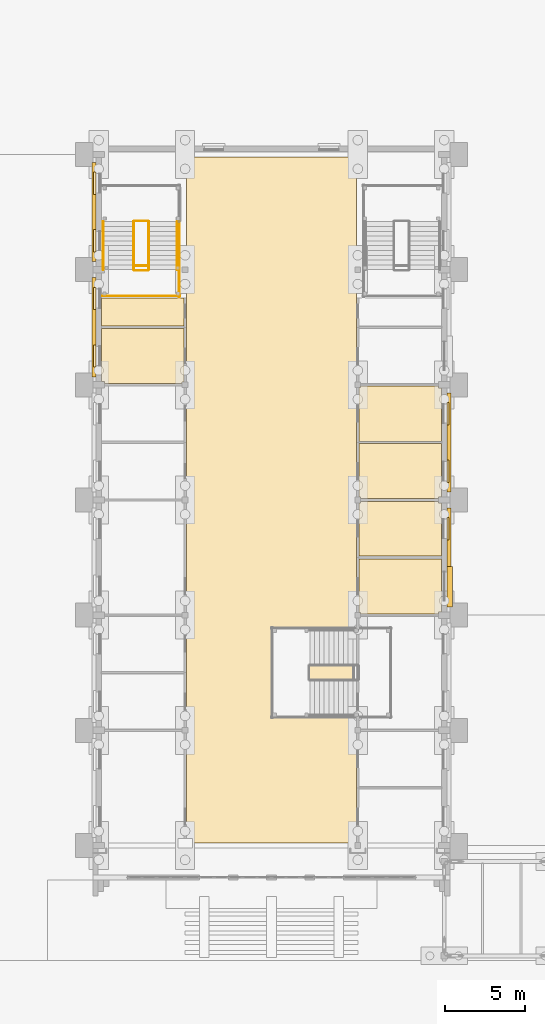
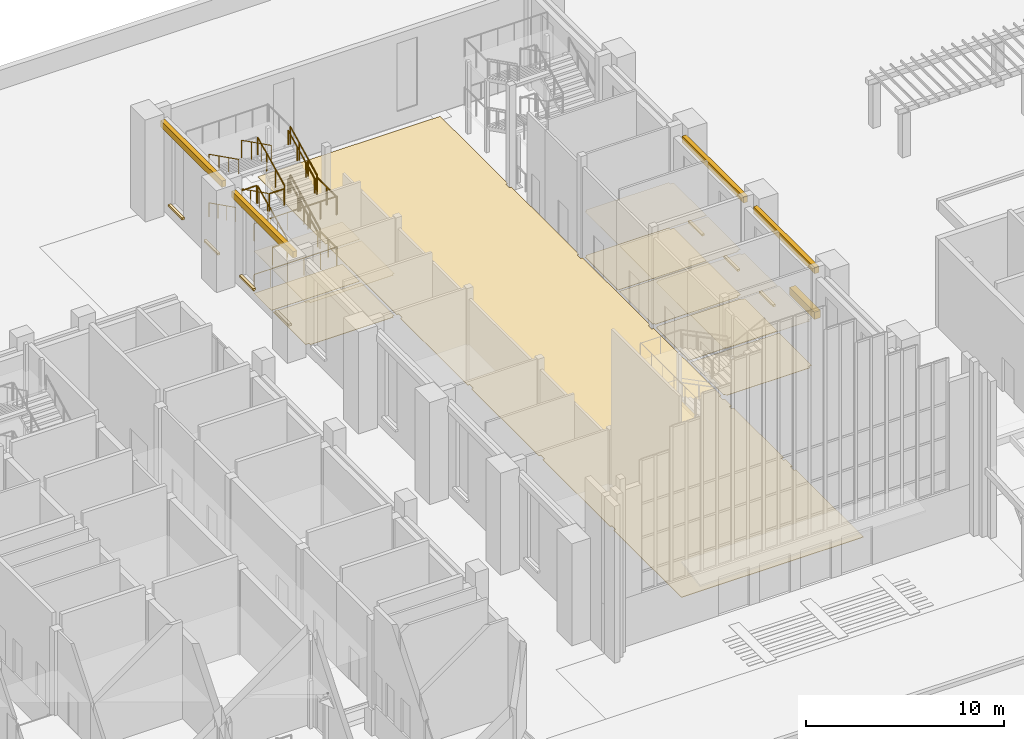
# One storey, part 71 of 84: 25 coverings, 17 railings.
"""IFC4 building model written with IfcOpenShell, lengths in metres."""

from ifc_helpers import new_model, si_unit, direction, frame, origin, origin_2d, place, context, subcontext, project, spatial, polyline, circle, outline, extrude, material, layer, layer_set, type_object, element, save


model = new_model("IFC4")

# Units and contexts
model_context = context("Model", 3, precision=1e-05, world=origin(), true_north=direction((0.0, 1.0)))
body_context = subcontext(model_context, "Body", "Model", "MODEL_VIEW")
ifc_project = project(units=[si_unit("LENGTHUNIT", "METRE"), si_unit("AREAUNIT", "SQUARE_METRE"), si_unit("VOLUMEUNIT", "CUBIC_METRE"), si_unit("PLANEANGLEUNIT", "RADIAN"), si_unit("MASSUNIT", "GRAM", prefix="KILO")], contexts=[model_context])

# Site, building, storey
site_placement = place(None, origin())
site = spatial("IfcSite", under=ifc_project, at=site_placement, CompositionType="ELEMENT")
building_placement = place(site_placement, origin())
building = spatial("IfcBuilding", under=site, at=building_placement, Name="Mazhai Court Health Centre", CompositionType="ELEMENT")
storey_placement = place(building_placement, origin())
storey = spatial("IfcBuildingStorey", under=building, at=storey_placement, Name="L00", CompositionType="ELEMENT", Elevation=0.0)

# Coverings
ifc_material_1 = material(Name="Clay brick masonry", Category="masonry")
ifc_layer_1 = layer(ifc_material_1, 0.25)
ifc_layer_set_1 = layer_set([ifc_layer_1], Name="BRICK BAND 250")
covering_type_1 = type_object("IfcCoveringType", Name="BRICK BAND 250", PredefinedType="MOLDING", material=ifc_layer_set_1)
covering_1_placement = place(storey_placement, frame((0.0, 0.0, 5.3701171875)))
element("IfcCovering", 1, at=covering_1_placement, inside=storey, type_object=covering_type_1, Name="EB-V1-L00-W4-0", PredefinedType="MOLDING", context=body_context, shape_type="SweptSolid", body=[
    extrude(outline(polyline([(42.034912109375, 42.699951171875), (42.034912109375, 48.89990234375), (41.784912109375, 48.89990234375), (41.784912109375, 42.699951171875), (42.034912109375, 42.699951171875)])), origin(), (0.0, 0.0, 1.0), 0.39990234375),
])
covering_2_placement = place(storey_placement, frame((0.0, 0.0, 5.3701171875)))
element("IfcCovering", 2, at=covering_2_placement, inside=storey, type_object=covering_type_1, Name="EB-V1-L00-W5-0", PredefinedType="MOLDING", context=body_context, shape_type="SweptSolid", body=[
    extrude(outline(polyline([(42.034912109375, 49.89990234375), (42.034912109375, 56.10009765625), (41.784912109375, 56.10009765625), (41.784912109375, 49.89990234375), (42.034912109375, 49.89990234375)])), origin(), (0.0, 0.0, 1.0), 0.39990234375),
])
covering_3_placement = place(storey_placement, frame((0.0, 0.0, 5.3701171875)))
element("IfcCovering", 3, at=covering_3_placement, inside=storey, type_object=covering_type_1, Name="EB-V1-L00-E2-0", PredefinedType="MOLDING", context=body_context, shape_type="SweptSolid", body=[
    extrude(outline(polyline([(63.965087890625, 34.5), (63.965087890625, 28.300048828125), (64.215087890625, 28.300048828125), (64.215087890625, 34.5), (63.965087890625, 34.5)])), origin(), (0.0, 0.0, 1.0), 0.39990234375),
])
covering_4_placement = place(storey_placement, frame((0.0, 0.0, 5.3701171875)))
element("IfcCovering", 4, at=covering_4_placement, inside=storey, type_object=covering_type_1, Name="EB-V1-L00-E3-0", PredefinedType="MOLDING", context=body_context, shape_type="SweptSolid", body=[
    extrude(outline(polyline([(63.965087890625, 41.699951171875), (63.965087890625, 35.5), (64.215087890625, 35.5), (64.215087890625, 41.699951171875), (63.965087890625, 41.699951171875)])), origin(), (0.0, 0.0, 1.0), 0.39990234375),
])
ifc_material_2 = material(Name="Clay brick masonry", Category="masonry")
ifc_layer_2 = layer(ifc_material_2, 0.35009765625)
ifc_layer_set_2 = layer_set([ifc_layer_2], Name="BRICK PORTAL LINTEL 350")
covering_type_2 = type_object("IfcCoveringType", Name="BRICK PORTAL LINTEL 350", PredefinedType="MOLDING", material=ifc_layer_set_2)
covering_5_placement = place(storey_placement, frame((0.0, 0.0, 2.550048828125)))
element("IfcCovering", 5, at=covering_5_placement, inside=storey, type_object=covering_type_2, Name="EL-V1-L00-E2", PredefinedType="MOLDING", context=body_context, shape_type="SweptSolid", body=[
    extrude(outline(polyline([(63.965087890625, 30.85009765625), (63.965087890625, 28.300048828125), (64.31494140625, 28.300048828125), (64.31494140625, 30.85009765625), (63.965087890625, 30.85009765625)])), origin(), (0.0, 0.0, 1.0), 0.449951171875),
])
ifc_material_3 = material(Name="Clay brick masonry", Category="masonry")
ifc_layer_3 = layer(ifc_material_3, 0.14990234375)
ifc_layer_set_3 = layer_set([ifc_layer_3], Name="BRICK SILL COURSE 150")
covering_type_3 = type_object("IfcCoveringType", Name="BRICK SILL COURSE 150", PredefinedType="MOLDING", material=ifc_layer_set_3)
covering_6_placement = place(storey_placement, frame((0.0, 0.0, 0.780029296875)))
element("IfcCovering", 6, at=covering_6_placement, inside=storey, type_object=covering_type_3, Name="ES-WN-V1-L00-W4a", PredefinedType="MOLDING", context=body_context, shape_type="SweptSolid", body=[
    extrude(outline(polyline([(42.034912109375, 43.300048828125), (42.034912109375, 44.699951171875), (41.885009765625, 44.699951171875), (41.885009765625, 43.300048828125), (42.034912109375, 43.300048828125)])), origin(), (0.0, 0.0, 1.0), 0.119873046875),
])
covering_7_placement = place(storey_placement, frame((0.0, 0.0, 0.780029296875)))
element("IfcCovering", 7, at=covering_7_placement, inside=storey, type_object=covering_type_3, Name="ES-WN-V1-L00-W4b", PredefinedType="MOLDING", context=body_context, shape_type="SweptSolid", body=[
    extrude(outline(polyline([(42.034912109375, 46.89990234375), (42.034912109375, 48.300048828125), (41.885009765625, 48.300048828125), (41.885009765625, 46.89990234375), (42.034912109375, 46.89990234375)])), origin(), (0.0, 0.0, 1.0), 0.119873046875),
])
covering_8_placement = place(storey_placement, frame((0.0, 0.0, 0.780029296875)))
element("IfcCovering", 8, at=covering_8_placement, inside=storey, type_object=covering_type_3, Name="ES-WN-V1-L00-W5a", PredefinedType="MOLDING", context=body_context, shape_type="SweptSolid", body=[
    extrude(outline(polyline([(42.034912109375, 50.5), (42.034912109375, 51.89990234375), (41.885009765625, 51.89990234375), (41.885009765625, 50.5), (42.034912109375, 50.5)])), origin(), (0.0, 0.0, 1.0), 0.119873046875),
])
covering_9_placement = place(storey_placement, frame((0.0, 0.0, 0.780029296875)))
element("IfcCovering", 9, at=covering_9_placement, inside=storey, type_object=covering_type_3, Name="ES-WN-V1-L00-W5b", PredefinedType="MOLDING", context=body_context, shape_type="SweptSolid", body=[
    extrude(outline(polyline([(42.034912109375, 54.10009765625), (42.034912109375, 55.5), (41.885009765625, 55.5), (41.885009765625, 54.10009765625), (42.034912109375, 54.10009765625)])), origin(), (0.0, 0.0, 1.0), 0.119873046875),
])
covering_10_placement = place(storey_placement, frame((0.0, 0.0, 0.780029296875)))
element("IfcCovering", 10, at=covering_10_placement, inside=storey, type_object=covering_type_3, Name="ES-WN-V1-L00-E2b", PredefinedType="MOLDING", context=body_context, shape_type="SweptSolid", body=[
    extrude(outline(polyline([(63.965087890625, 33.89990234375), (63.965087890625, 32.5), (64.114990234375, 32.5), (64.114990234375, 33.89990234375), (63.965087890625, 33.89990234375)])), origin(), (0.0, 0.0, 1.0), 0.119873046875),
])
covering_11_placement = place(storey_placement, frame((0.0, 0.0, 0.780029296875)))
element("IfcCovering", 11, at=covering_11_placement, inside=storey, type_object=covering_type_3, Name="ES-WN-V1-L00-E3a", PredefinedType="MOLDING", context=body_context, shape_type="SweptSolid", body=[
    extrude(outline(polyline([(63.965087890625, 37.5), (63.965087890625, 36.10009765625), (64.114990234375, 36.10009765625), (64.114990234375, 37.5), (63.965087890625, 37.5)])), origin(), (0.0, 0.0, 1.0), 0.119873046875),
])
covering_12_placement = place(storey_placement, frame((0.0, 0.0, 0.780029296875)))
element("IfcCovering", 12, at=covering_12_placement, inside=storey, type_object=covering_type_3, Name="ES-WN-V1-L00-E3b", PredefinedType="MOLDING", context=body_context, shape_type="SweptSolid", body=[
    extrude(outline(polyline([(63.965087890625, 41.10009765625), (63.965087890625, 39.699951171875), (64.114990234375, 39.699951171875), (64.114990234375, 41.10009765625), (63.965087890625, 41.10009765625)])), origin(), (0.0, 0.0, 1.0), 0.119873046875),
])
ifc_material_4 = material(Name="Gypsum plasterboard ceiling")
ifc_layer_4 = layer(ifc_material_4, 0.02001953125)
ifc_layer_set_4 = layer_set([ifc_layer_4], Name="CEILING GYPSUM BOARD 20")
covering_type_4 = type_object("IfcCoveringType", Name="CEILING GYPSUM BOARD 20", PredefinedType="CEILING", material=ifc_layer_set_4)
covering_13_placement = place(storey_placement, frame((0.0, 0.0, 2.60009765625)))
element("IfcCovering", 13, at=covering_13_placement, inside=storey, type_object=covering_type_4, Name="ceil-V1-L00-W-cleaners-store", PredefinedType="CEILING", context=body_context, shape_type="SweptSolid", body=[
    extrude(outline(polyline([(47.52490234375, 45.875), (47.52490234375, 47.635009765625), (42.364990234375, 47.635009765625), (42.364990234375, 45.875), (47.52490234375, 45.875)])), origin(), (0.0, 0.0, 1.0), 0.02001953125),
])
covering_14_placement = place(storey_placement, frame((0.0, 0.0, 2.89990234375)))
element("IfcCovering", 14, at=covering_14_placement, inside=storey, type_object=covering_type_4, Name="ceil-V1-L00-E-patient-welfare-office", PredefinedType="CEILING", context=body_context, shape_type="SweptSolid", body=[
    extrude(outline(polyline([(58.47509765625, 27.97998046875), (58.580078125, 27.97998046875), (58.580078125, 27.862548828125), (63.43994140625, 27.862548828125), (63.43994140625, 28.0), (63.635009765625, 28.0), (63.635009765625, 31.300048828125), (58.47509765625, 31.300048828125), (58.47509765625, 27.97998046875)])), origin(), (0.0, 0.0, 1.0), 0.02001953125),
])
covering_15_placement = place(storey_placement, frame((0.0, 0.0, 2.800048828125)))
element("IfcCovering", 15, at=covering_15_placement, inside=storey, type_object=covering_type_4, Name="ceil-V1-L00-E-interview-room", PredefinedType="CEILING", context=body_context, shape_type="SweptSolid", body=[
    extrude(outline(polyline([(63.635009765625, 34.800048828125), (63.43994140625, 34.800048828125), (63.43994140625, 34.89990234375), (58.580078125, 34.89990234375), (58.580078125, 34.820068359375), (58.47509765625, 34.820068359375), (58.47509765625, 31.5), (63.635009765625, 31.5), (63.635009765625, 34.800048828125)])), origin(), (0.0, 0.0, 1.0), 0.02001953125),
])
covering_16_placement = place(storey_placement, frame((0.0, 0.0, 2.800048828125)))
element("IfcCovering", 16, at=covering_16_placement, inside=storey, type_object=covering_type_4, Name="ceil-V1-L00-E-nurse-screening-room-1", PredefinedType="CEILING", context=body_context, shape_type="SweptSolid", body=[
    extrude(outline(polyline([(58.47509765625, 35.179931640625), (58.580078125, 35.179931640625), (58.580078125, 35.10009765625), (63.43994140625, 35.10009765625), (63.43994140625, 35.199951171875), (63.635009765625, 35.199951171875), (63.635009765625, 38.53759765625), (58.47509765625, 38.53759765625), (58.47509765625, 35.179931640625)])), origin(), (0.0, 0.0, 1.0), 0.02001953125),
])
covering_17_placement = place(storey_placement, frame((0.0, 0.0, 2.800048828125)))
element("IfcCovering", 17, at=covering_17_placement, inside=storey, type_object=covering_type_4, Name="ceil-V1-L00-E-nurse-screening-room-2", PredefinedType="CEILING", context=body_context, shape_type="SweptSolid", body=[
    extrude(outline(polyline([(63.635009765625, 42.0), (63.43994140625, 42.0), (63.43994140625, 42.137451171875), (58.580078125, 42.137451171875), (58.580078125, 42.02001953125), (58.47509765625, 42.02001953125), (58.47509765625, 38.66259765625), (63.635009765625, 38.66259765625), (63.635009765625, 42.0)])), origin(), (0.0, 0.0, 1.0), 0.02001953125),
])
ifc_material_5 = material(Name="Moisture resistant gypsum ceiling")
ifc_layer_5 = layer(ifc_material_5, 0.014892578125)
ifc_layer_set_5 = layer_set([ifc_layer_5], Name="CEILING MOISTURE RESISTANT BOARD 15")
covering_type_5 = type_object("IfcCoveringType", Name="CEILING MOISTURE RESISTANT BOARD 15", PredefinedType="CEILING", material=ifc_layer_set_5)
covering_18_placement = place(storey_placement, frame((0.0, 0.0, 2.60009765625)))
element("IfcCovering", 18, at=covering_18_placement, inside=storey, type_object=covering_type_5, Name="ceil-V1-L00-W-accessible-wc", PredefinedType="CEILING", context=body_context, shape_type="SweptSolid", body=[
    extrude(outline(polyline([(42.364990234375, 42.39990234375), (42.56005859375, 42.39990234375), (42.56005859375, 42.27490234375), (47.419921875, 42.27490234375), (47.419921875, 42.3798828125), (47.52490234375, 42.3798828125), (47.52490234375, 45.72509765625), (42.364990234375, 45.72509765625), (42.364990234375, 42.39990234375)])), origin(), (0.0, 0.0, 1.0), 0.014892578125),
])
ifc_material_6 = material(Name="Granite flooring", Category="masonry")
ifc_layer_6 = layer(ifc_material_6, 0.030029296875)
ifc_layer_set_6 = layer_set([ifc_layer_6], Name="FLOOR FINISH GRANITE FLOORING 30")
covering_type_6 = type_object("IfcCoveringType", Name="FLOOR FINISH GRANITE FLOORING 30", PredefinedType="FLOORING", material=ifc_layer_set_6)
covering_19_placement = place(storey_placement, origin())
element("IfcCovering", 19, at=covering_19_placement, inside=storey, type_object=covering_type_6, Name="floor-V1-L00-nave", PredefinedType="FLOORING", context=body_context, shape_type="SweptSolid", body=[
    extrude(outline(polyline([(58.219970703125, 13.56494140625), (58.219970703125, 13.580078125), (58.324951171875, 13.580078125), (58.324951171875, 20.419921875), (58.219970703125, 20.419921875), (58.219970703125, 20.780029296875), (58.324951171875, 20.780029296875), (58.324951171875, 21.469970703125), (58.199951171875, 21.469970703125), (58.199951171875, 21.669921875), (58.324951171875, 21.669921875), (58.324951171875, 26.719970703125), (58.199951171875, 26.719970703125), (58.199951171875, 26.919921875), (58.324951171875, 26.919921875), (58.324951171875, 27.6201171875), (58.219970703125, 27.6201171875), (58.219970703125, 27.97998046875), (58.324951171875, 27.97998046875), (58.324951171875, 34.820068359375), (58.219970703125, 34.820068359375), (58.219970703125, 35.179931640625), (58.324951171875, 35.179931640625), (58.324951171875, 42.02001953125), (58.219970703125, 42.02001953125), (58.219970703125, 42.3798828125), (58.324951171875, 42.3798828125), (58.324951171875, 49.219970703125), (58.219970703125, 49.219970703125), (58.219970703125, 49.580078125), (58.324951171875, 49.580078125), (58.324951171875, 56.43505859375), (47.675048828125, 56.43505859375), (47.675048828125, 49.580078125), (47.780029296875, 49.580078125), (47.780029296875, 49.219970703125), (47.675048828125, 49.219970703125), (47.675048828125, 42.3798828125), (47.780029296875, 42.3798828125), (47.780029296875, 42.02001953125), (47.675048828125, 42.02001953125), (47.675048828125, 35.179931640625), (47.780029296875, 35.179931640625), (47.780029296875, 34.820068359375), (47.675048828125, 34.820068359375), (47.675048828125, 27.97998046875), (47.780029296875, 27.97998046875), (47.780029296875, 27.6201171875), (47.675048828125, 27.6201171875), (47.675048828125, 20.780029296875), (47.780029296875, 20.780029296875), (47.780029296875, 20.419921875), (47.675048828125, 20.419921875), (47.675048828125, 13.56494140625), (58.219970703125, 13.56494140625)])), origin(), (0.0, 0.0, 1.0), 0.030029296875),
])
ifc_material_7 = material(Name="Heavy duty vinyl flooring")
ifc_layer_7 = layer(ifc_material_7, 0.02001953125)
ifc_layer_set_7 = layer_set([ifc_layer_7], Name="FLOOR FINISH HEAVY DUTY VINYL FLOORING 20")
covering_type_7 = type_object("IfcCoveringType", Name="FLOOR FINISH HEAVY DUTY VINYL FLOORING 20", PredefinedType="FLOORING", material=ifc_layer_set_7)
covering_20_placement = place(storey_placement, origin())
element("IfcCovering", 20, at=covering_20_placement, inside=storey, type_object=covering_type_7, Name="floor-V1-L00-W-cleaners-store", PredefinedType="FLOORING", context=body_context, shape_type="SweptSolid", body=[
    extrude(outline(polyline([(47.52490234375, 45.875), (47.52490234375, 47.635009765625), (42.364990234375, 47.635009765625), (42.364990234375, 45.875), (47.52490234375, 45.875)])), origin(), (0.0, 0.0, 1.0), 0.02001953125),
])
covering_21_placement = place(storey_placement, origin())
element("IfcCovering", 21, at=covering_21_placement, inside=storey, type_object=covering_type_7, Name="floor-V1-L00-E-nurse-screening-room-1", PredefinedType="FLOORING", context=body_context, shape_type="SweptSolid", body=[
    extrude(outline(polyline([(58.47509765625, 35.179931640625), (58.580078125, 35.179931640625), (58.580078125, 35.10009765625), (63.43994140625, 35.10009765625), (63.43994140625, 35.199951171875), (63.635009765625, 35.199951171875), (63.635009765625, 38.53759765625), (58.47509765625, 38.53759765625), (58.47509765625, 35.179931640625)])), origin(), (0.0, 0.0, 1.0), 0.02001953125),
])
covering_22_placement = place(storey_placement, origin())
element("IfcCovering", 22, at=covering_22_placement, inside=storey, type_object=covering_type_7, Name="floor-V1-L00-E-nurse-screening-room-2", PredefinedType="FLOORING", context=body_context, shape_type="SweptSolid", body=[
    extrude(outline(polyline([(63.635009765625, 42.0), (63.43994140625, 42.0), (63.43994140625, 42.137451171875), (58.580078125, 42.137451171875), (58.580078125, 42.02001953125), (58.47509765625, 42.02001953125), (58.47509765625, 38.66259765625), (63.635009765625, 38.66259765625), (63.635009765625, 42.0)])), origin(), (0.0, 0.0, 1.0), 0.02001953125),
])
ifc_material_8 = material(Name="Linoleum flooring")
ifc_layer_8 = layer(ifc_material_8, 0.02001953125)
ifc_layer_set_8 = layer_set([ifc_layer_8], Name="FLOOR FINISH LINOLEUM FLOORING 20")
covering_type_8 = type_object("IfcCoveringType", Name="FLOOR FINISH LINOLEUM FLOORING 20", PredefinedType="FLOORING", material=ifc_layer_set_8)
covering_23_placement = place(storey_placement, origin())
element("IfcCovering", 23, at=covering_23_placement, inside=storey, type_object=covering_type_8, Name="floor-V1-L00-E-patient-welfare-office", PredefinedType="FLOORING", context=body_context, shape_type="SweptSolid", body=[
    extrude(outline(polyline([(58.47509765625, 27.97998046875), (58.580078125, 27.97998046875), (58.580078125, 27.862548828125), (63.43994140625, 27.862548828125), (63.43994140625, 28.0), (63.635009765625, 28.0), (63.635009765625, 31.300048828125), (58.47509765625, 31.300048828125), (58.47509765625, 27.97998046875)])), origin(), (0.0, 0.0, 1.0), 0.02001953125),
])
covering_24_placement = place(storey_placement, origin())
element("IfcCovering", 24, at=covering_24_placement, inside=storey, type_object=covering_type_8, Name="floor-V1-L00-E-interview-room", PredefinedType="FLOORING", context=body_context, shape_type="SweptSolid", body=[
    extrude(outline(polyline([(63.635009765625, 34.800048828125), (63.43994140625, 34.800048828125), (63.43994140625, 34.89990234375), (58.580078125, 34.89990234375), (58.580078125, 34.820068359375), (58.47509765625, 34.820068359375), (58.47509765625, 31.5), (63.635009765625, 31.5), (63.635009765625, 34.800048828125)])), origin(), (0.0, 0.0, 1.0), 0.02001953125),
])
ifc_material_9 = material(Name="Porcelain tile flooring")
ifc_layer_9 = layer(ifc_material_9, 0.02490234375)
ifc_layer_set_9 = layer_set([ifc_layer_9], Name="FLOOR FINISH PORCELAIN TILE FLOORING 25")
covering_type_9 = type_object("IfcCoveringType", Name="FLOOR FINISH PORCELAIN TILE FLOORING 25", PredefinedType="FLOORING", material=ifc_layer_set_9)
covering_25_placement = place(storey_placement, origin())
element("IfcCovering", 25, at=covering_25_placement, inside=storey, type_object=covering_type_9, Name="floor-V1-L00-W-accessible-wc", PredefinedType="FLOORING", context=body_context, shape_type="SweptSolid", body=[
    extrude(outline(polyline([(42.364990234375, 42.39990234375), (42.56005859375, 42.39990234375), (42.56005859375, 42.27490234375), (47.419921875, 42.27490234375), (47.419921875, 42.3798828125), (47.52490234375, 42.3798828125), (47.52490234375, 45.72509765625), (42.364990234375, 45.72509765625), (42.364990234375, 42.39990234375)])), origin(), (0.0, 0.0, 1.0), 0.02490234375),
])

# Railings
ifc_material_10 = material(Name="Steel IS 2062 E250", Category="steel")
railing_type_1 = type_object("IfcRailingType", Name="STAIR GUARD 1100", PredefinedType="GUARDRAIL", material=ifc_material_10)
for number, where, name in (
    (26, (47.232421875, 49.39990234375, 0.14990234375), "L00 ST11 stair guard 1"),
    (27, (45.33251953125, 49.39990234375, 0.14990234375), "L00 ST11 stair guard 2"),
):
    element("IfcRailing", number, at=place(storey_placement, frame(where)), inside=storey, type_object=railing_type_1, Name=name, PredefinedType="GUARDRAIL", context=body_context, shape_type="SweptSolid", body=[
        extrude(circle(Radius=0.02392578125, at=origin_2d()), frame((0.0, 0.0, 1.076171875), z_axis=(0.0, 0.894427191, 0.4472135955), x_axis=(-1.0, 0.0, 0.0)), (0.0, 0.0, 1.0), 3.35400390625),
        extrude(circle(Radius=0.02099609375, at=origin_2d()), origin(), (0.0, 0.0, 1.0), 1.052001953125),
        extrude(circle(Radius=0.02099609375, at=origin_2d()), frame((0.0, 1.0, 0.5)), (0.0, 0.0, 1.0), 1.052001953125),
        extrude(circle(Radius=0.02099609375, at=origin_2d()), frame((0.0, 2.0, 1.0)), (0.0, 0.0, 1.0), 1.052001953125),
        extrude(circle(Radius=0.02099609375, at=origin_2d()), frame((0.0, 3.0, 1.5)), (0.0, 0.0, 1.0), 1.052001953125),
    ])
railing_1_placement = place(storey_placement, frame((45.282470703125, 52.449951171875, 1.64990234375)))
element("IfcRailing", 28, at=railing_1_placement, inside=storey, type_object=railing_type_1, Name="L00 ST11 stair guard 3", PredefinedType="GUARDRAIL", context=body_context, shape_type="SweptSolid", body=[
    extrude(circle(Radius=0.02392578125, at=origin_2d()), frame((0.0, 0.0, 1.076171875), z_axis=(-1.0, 0.0, 0.0), x_axis=(0.0, -1.0, 0.0)), (0.0, 0.0, 1.0), 0.849853515625),
    extrude(circle(Radius=0.02099609375, at=origin_2d()), origin(), (0.0, 0.0, 1.0), 1.052001953125),
    extrude(circle(Radius=0.02099609375, at=origin_2d()), frame((-0.849853515625, 0.0, 0.0)), (0.0, 0.0, 1.0), 1.052001953125),
])
railing_2_placement = place(storey_placement, frame((44.382568359375, 52.39990234375, 1.800048828125)))
element("IfcRailing", 29, at=railing_2_placement, inside=storey, type_object=railing_type_1, Name="L00 ST11 stair guard 6", PredefinedType="GUARDRAIL", context=body_context, shape_type="SweptSolid", body=[
    extrude(circle(Radius=0.02392578125, at=origin_2d()), frame((0.0, 0.0, 1.076171875), z_axis=(0.0, -0.89444336626, 0.447181243517), x_axis=(1.0, 0.0, 0.0)), (0.0, 0.0, 1.0), 3.0185546875),
    extrude(circle(Radius=0.02099609375, at=origin_2d()), origin(), (0.0, 0.0, 1.0), 1.052001953125),
    extrude(circle(Radius=0.02099609375, at=origin_2d()), frame((0.0, -0.89990234375, 0.449951171875)), (0.0, 0.0, 1.0), 1.052001953125),
    extrude(circle(Radius=0.02099609375, at=origin_2d()), frame((0.0, -1.800048828125, 0.89990234375)), (0.0, 0.0, 1.0), 1.052001953125),
    extrude(circle(Radius=0.02099609375, at=origin_2d()), frame((0.0, -2.699951171875, 1.349853515625)), (0.0, 0.0, 1.0), 1.052001953125),
])
railing_3_placement = place(storey_placement, frame((45.282470703125, 49.64990234375, 3.14990234375)))
element("IfcRailing", 30, at=railing_3_placement, inside=storey, type_object=railing_type_1, Name="L00 ST11 stair guard 7", PredefinedType="GUARDRAIL", context=body_context, shape_type="SweptSolid", body=[
    extrude(circle(Radius=0.02392578125, at=origin_2d()), frame((0.0, 0.0, 1.076171875), z_axis=(-1.0, 0.0, 0.0), x_axis=(0.0, -1.0, 0.0)), (0.0, 0.0, 1.0), 0.849853515625),
    extrude(circle(Radius=0.02099609375, at=origin_2d()), origin(), (0.0, 0.0, 1.0), 1.052001953125),
    extrude(circle(Radius=0.02099609375, at=origin_2d()), frame((-0.849853515625, 0.0, 0.0)), (0.0, 0.0, 1.0), 1.052001953125),
])
railing_4_placement = place(storey_placement, frame((47.232421875, 47.699951171875, 3.14990234375)))
element("IfcRailing", 31, at=railing_4_placement, inside=storey, type_object=railing_type_1, Name="L00 ST11 stair guard 8", PredefinedType="GUARDRAIL", context=body_context, shape_type="SweptSolid", body=[
    extrude(circle(Radius=0.02392578125, at=origin_2d()), frame((0.0, 0.0, 1.076171875), z_axis=(0.0, 1.0, 0.0), x_axis=(-1.0, 0.0, 0.0)), (0.0, 0.0, 1.0), 2.0),
    extrude(circle(Radius=0.02099609375, at=origin_2d()), origin(), (0.0, 0.0, 1.0), 1.052001953125),
    extrude(circle(Radius=0.02099609375, at=origin_2d()), frame((0.0, 1.0, 0.0)), (0.0, 0.0, 1.0), 1.052001953125),
    extrude(circle(Radius=0.02099609375, at=origin_2d()), frame((0.0, 2.0, 0.0)), (0.0, 0.0, 1.0), 1.052001953125),
])
railing_5_placement = place(storey_placement, frame((47.282470703125, 47.75, 3.14990234375)))
element("IfcRailing", 32, at=railing_5_placement, inside=storey, type_object=railing_type_1, Name="L00 ST11 stair guard 9", PredefinedType="GUARDRAIL", context=body_context, shape_type="SweptSolid", body=[
    extrude(circle(Radius=0.02392578125, at=origin_2d()), frame((0.0, 0.0, 1.076171875), z_axis=(-1.0, 0.0, 0.0), x_axis=(0.0, -1.0, 0.0)), (0.0, 0.0, 1.0), 4.849853515625),
    extrude(circle(Radius=0.02099609375, at=origin_2d()), origin(), (0.0, 0.0, 1.0), 1.052001953125),
    extrude(circle(Radius=0.02099609375, at=origin_2d()), frame((-0.969970703125, 0.0, 0.0)), (0.0, 0.0, 1.0), 1.052001953125),
    extrude(circle(Radius=0.02099609375, at=origin_2d()), frame((-1.93994140625, 0.0, 0.0)), (0.0, 0.0, 1.0), 1.052001953125),
    extrude(circle(Radius=0.02099609375, at=origin_2d()), frame((-2.909912109375, 0.0, 0.0)), (0.0, 0.0, 1.0), 1.052001953125),
    extrude(circle(Radius=0.02099609375, at=origin_2d()), frame((-3.8798828125, 0.0, 0.0)), (0.0, 0.0, 1.0), 1.052001953125),
    extrude(circle(Radius=0.02099609375, at=origin_2d()), frame((-4.849853515625, 0.0, 0.0)), (0.0, 0.0, 1.0), 1.052001953125),
])
for number, where, name in (
    (33, (47.232421875, 49.699951171875, 3.300048828125), "L00 ST11 stair guard 10"),
    (34, (45.33251953125, 49.699951171875, 3.300048828125), "L00 ST11 stair guard 11"),
):
    element("IfcRailing", number, at=place(storey_placement, frame(where)), inside=storey, type_object=railing_type_1, Name=name, PredefinedType="GUARDRAIL", context=body_context, shape_type="SweptSolid", body=[
        extrude(circle(Radius=0.02392578125, at=origin_2d()), frame((0.0, 0.0, 1.076171875), z_axis=(0.0, 0.89444336626, 0.447181243517), x_axis=(-1.0, 0.0, 0.0)), (0.0, 0.0, 1.0), 3.0185546875),
        extrude(circle(Radius=0.02099609375, at=origin_2d()), origin(), (0.0, 0.0, 1.0), 1.052001953125),
        extrude(circle(Radius=0.02099609375, at=origin_2d()), frame((0.0, 0.89990234375, 0.449951171875)), (0.0, 0.0, 1.0), 1.052001953125),
        extrude(circle(Radius=0.02099609375, at=origin_2d()), frame((0.0, 1.800048828125, 0.89990234375)), (0.0, 0.0, 1.0), 1.052001953125),
        extrude(circle(Radius=0.02099609375, at=origin_2d()), frame((0.0, 2.699951171875, 1.349853515625)), (0.0, 0.0, 1.0), 1.052001953125),
    ])
railing_6_placement = place(storey_placement, frame((44.382568359375, 52.39990234375, 4.800048828125)))
element("IfcRailing", 35, at=railing_6_placement, inside=storey, type_object=railing_type_1, Name="L00 ST11 stair guard 15", PredefinedType="GUARDRAIL", context=body_context, shape_type="SweptSolid", body=[
    extrude(circle(Radius=0.02392578125, at=origin_2d()), frame((0.0, 0.0, 1.076171875), z_axis=(0.0, -0.894427191, 0.4472135955), x_axis=(1.0, 0.0, 0.0)), (0.0, 0.0, 1.0), 3.35400390625),
    extrude(circle(Radius=0.02099609375, at=origin_2d()), origin(), (0.0, 0.0, 1.0), 1.052001953125),
    extrude(circle(Radius=0.02099609375, at=origin_2d()), frame((0.0, -1.0, 0.5)), (0.0, 0.0, 1.0), 1.052001953125),
    extrude(circle(Radius=0.02099609375, at=origin_2d()), frame((0.0, -2.0, 1.0)), (0.0, 0.0, 1.0), 1.052001953125),
    extrude(circle(Radius=0.02099609375, at=origin_2d()), frame((0.0, -3.0, 1.5)), (0.0, 0.0, 1.0), 1.052001953125),
])
railing_7_placement = place(storey_placement, frame((45.282470703125, 49.35009765625, 0.0)))
element("IfcRailing", 36, at=railing_7_placement, inside=storey, type_object=railing_type_1, Name="L00 ST11 stair guard 16", PredefinedType="GUARDRAIL", context=body_context, shape_type="SweptSolid", body=[
    extrude(circle(Radius=0.02392578125, at=origin_2d()), frame((0.0, 0.0, 1.076171875), z_axis=(-1.0, 0.0, 0.0), x_axis=(0.0, -1.0, 0.0)), (0.0, 0.0, 1.0), 0.849853515625),
    extrude(circle(Radius=0.02099609375, at=origin_2d()), origin(), (0.0, 0.0, 1.0), 1.052001953125),
    extrude(circle(Radius=0.02099609375, at=origin_2d()), frame((-0.849853515625, 0.0, 0.0)), (0.0, 0.0, 1.0), 1.052001953125),
])
railing_8_placement = place(storey_placement, frame((47.232421875, 47.699951171875, 0.0)))
element("IfcRailing", 37, at=railing_8_placement, inside=storey, type_object=railing_type_1, Name="L00 ST11 stair guard 17", PredefinedType="GUARDRAIL", context=body_context, shape_type="SweptSolid", body=[
    extrude(circle(Radius=0.02392578125, at=origin_2d()), frame((0.0, 0.0, 1.076171875), z_axis=(0.0, 1.0, 0.0), x_axis=(-1.0, 0.0, 0.0)), (0.0, 0.0, 1.0), 1.699951171875),
    extrude(circle(Radius=0.02099609375, at=origin_2d()), origin(), (0.0, 0.0, 1.0), 1.052001953125),
    extrude(circle(Radius=0.02099609375, at=origin_2d()), frame((0.0, 0.85009765625, 0.0)), (0.0, 0.0, 1.0), 1.052001953125),
    extrude(circle(Radius=0.02099609375, at=origin_2d()), frame((0.0, 1.699951171875, 0.0)), (0.0, 0.0, 1.0), 1.052001953125),
])
railing_9_placement = place(storey_placement, frame((47.282470703125, 47.75, 0.0)))
element("IfcRailing", 38, at=railing_9_placement, inside=storey, type_object=railing_type_1, Name="L00 ST11 stair guard 18", PredefinedType="GUARDRAIL", context=body_context, shape_type="SweptSolid", body=[
    extrude(circle(Radius=0.02392578125, at=origin_2d()), frame((0.0, 0.0, 1.076171875), z_axis=(-1.0, 0.0, 0.0), x_axis=(0.0, -1.0, 0.0)), (0.0, 0.0, 1.0), 4.849853515625),
    extrude(circle(Radius=0.02099609375, at=origin_2d()), origin(), (0.0, 0.0, 1.0), 1.052001953125),
    extrude(circle(Radius=0.02099609375, at=origin_2d()), frame((-0.969970703125, 0.0, 0.0)), (0.0, 0.0, 1.0), 1.052001953125),
    extrude(circle(Radius=0.02099609375, at=origin_2d()), frame((-1.93994140625, 0.0, 0.0)), (0.0, 0.0, 1.0), 1.052001953125),
    extrude(circle(Radius=0.02099609375, at=origin_2d()), frame((-2.909912109375, 0.0, 0.0)), (0.0, 0.0, 1.0), 1.052001953125),
    extrude(circle(Radius=0.02099609375, at=origin_2d()), frame((-3.8798828125, 0.0, 0.0)), (0.0, 0.0, 1.0), 1.052001953125),
    extrude(circle(Radius=0.02099609375, at=origin_2d()), frame((-4.849853515625, 0.0, 0.0)), (0.0, 0.0, 1.0), 1.052001953125),
])
ifc_material_11 = material(Name="Steel IS 2062 E250", Category="steel")
railing_type_2 = type_object("IfcRailingType", Name="STAIR HANDRAIL 900", PredefinedType="HANDRAIL", material=ifc_material_11)
railing_10_placement = place(storey_placement, frame((47.112548828125, 49.39990234375, 0.14990234375)))
element("IfcRailing", 39, at=railing_10_placement, inside=storey, type_object=railing_type_2, Name="L00 ST11 stair handrail 1", PredefinedType="HANDRAIL", context=body_context, shape_type="SweptSolid", body=[
    extrude(circle(Radius=0.02392578125, at=origin_2d()), frame((0.0, 0.0, 0.8759765625), z_axis=(0.0, 0.894427191, 0.4472135955), x_axis=(-1.0, 0.0, 0.0)), (0.0, 0.0, 1.0), 3.35400390625),
    extrude(circle(Radius=0.02099609375, at=origin_2d()), origin(), (0.0, 0.0, 1.0), 0.851806640625),
    extrude(circle(Radius=0.02099609375, at=origin_2d()), frame((0.0, 1.0, 0.5)), (0.0, 0.0, 1.0), 0.851806640625),
    extrude(circle(Radius=0.02099609375, at=origin_2d()), frame((0.0, 2.0, 1.0)), (0.0, 0.0, 1.0), 0.851806640625),
    extrude(circle(Radius=0.02099609375, at=origin_2d()), frame((0.0, 3.0, 1.5)), (0.0, 0.0, 1.0), 0.851806640625),
])
railing_11_placement = place(storey_placement, frame((42.482421875, 52.39990234375, 1.800048828125)))
element("IfcRailing", 40, at=railing_11_placement, inside=storey, type_object=railing_type_2, Name="L00 ST11 stair handrail 2", PredefinedType="HANDRAIL", context=body_context, shape_type="SweptSolid", body=[
    extrude(circle(Radius=0.02392578125, at=origin_2d()), frame((0.0, 0.0, 0.8759765625), z_axis=(0.0, -0.89444336626, 0.447181243517), x_axis=(1.0, 0.0, 0.0)), (0.0, 0.0, 1.0), 3.0185546875),
    extrude(circle(Radius=0.02099609375, at=origin_2d()), origin(), (0.0, 0.0, 1.0), 0.851806640625),
    extrude(circle(Radius=0.02099609375, at=origin_2d()), frame((0.0, -0.89990234375, 0.449951171875)), (0.0, 0.0, 1.0), 0.851806640625),
    extrude(circle(Radius=0.02099609375, at=origin_2d()), frame((0.0, -1.800048828125, 0.89990234375)), (0.0, 0.0, 1.0), 0.851806640625),
    extrude(circle(Radius=0.02099609375, at=origin_2d()), frame((0.0, -2.699951171875, 1.349853515625)), (0.0, 0.0, 1.0), 0.851806640625),
])
railing_12_placement = place(storey_placement, frame((47.112548828125, 49.699951171875, 3.300048828125)))
element("IfcRailing", 41, at=railing_12_placement, inside=storey, type_object=railing_type_2, Name="L00 ST11 stair handrail 3", PredefinedType="HANDRAIL", context=body_context, shape_type="SweptSolid", body=[
    extrude(circle(Radius=0.02392578125, at=origin_2d()), frame((0.0, 0.0, 0.8759765625), z_axis=(0.0, 0.89444336626, 0.447181243517), x_axis=(-1.0, 0.0, 0.0)), (0.0, 0.0, 1.0), 3.0185546875),
    extrude(circle(Radius=0.02099609375, at=origin_2d()), origin(), (0.0, 0.0, 1.0), 0.851806640625),
    extrude(circle(Radius=0.02099609375, at=origin_2d()), frame((0.0, 0.89990234375, 0.449951171875)), (0.0, 0.0, 1.0), 0.851806640625),
    extrude(circle(Radius=0.02099609375, at=origin_2d()), frame((0.0, 1.800048828125, 0.89990234375)), (0.0, 0.0, 1.0), 0.851806640625),
    extrude(circle(Radius=0.02099609375, at=origin_2d()), frame((0.0, 2.699951171875, 1.349853515625)), (0.0, 0.0, 1.0), 0.851806640625),
])
railing_13_placement = place(storey_placement, frame((42.482421875, 52.39990234375, 4.800048828125)))
element("IfcRailing", 42, at=railing_13_placement, inside=storey, type_object=railing_type_2, Name="L00 ST11 stair handrail 4", PredefinedType="HANDRAIL", context=body_context, shape_type="SweptSolid", body=[
    extrude(circle(Radius=0.02392578125, at=origin_2d()), frame((0.0, 0.0, 0.8759765625), z_axis=(0.0, -0.894427191, 0.4472135955), x_axis=(1.0, 0.0, 0.0)), (0.0, 0.0, 1.0), 3.35400390625),
    extrude(circle(Radius=0.02099609375, at=origin_2d()), origin(), (0.0, 0.0, 1.0), 0.851806640625),
    extrude(circle(Radius=0.02099609375, at=origin_2d()), frame((0.0, -1.0, 0.5)), (0.0, 0.0, 1.0), 0.851806640625),
    extrude(circle(Radius=0.02099609375, at=origin_2d()), frame((0.0, -2.0, 1.0)), (0.0, 0.0, 1.0), 0.851806640625),
    extrude(circle(Radius=0.02099609375, at=origin_2d()), frame((0.0, -3.0, 1.5)), (0.0, 0.0, 1.0), 0.851806640625),
])

save(model, "model.ifc")
